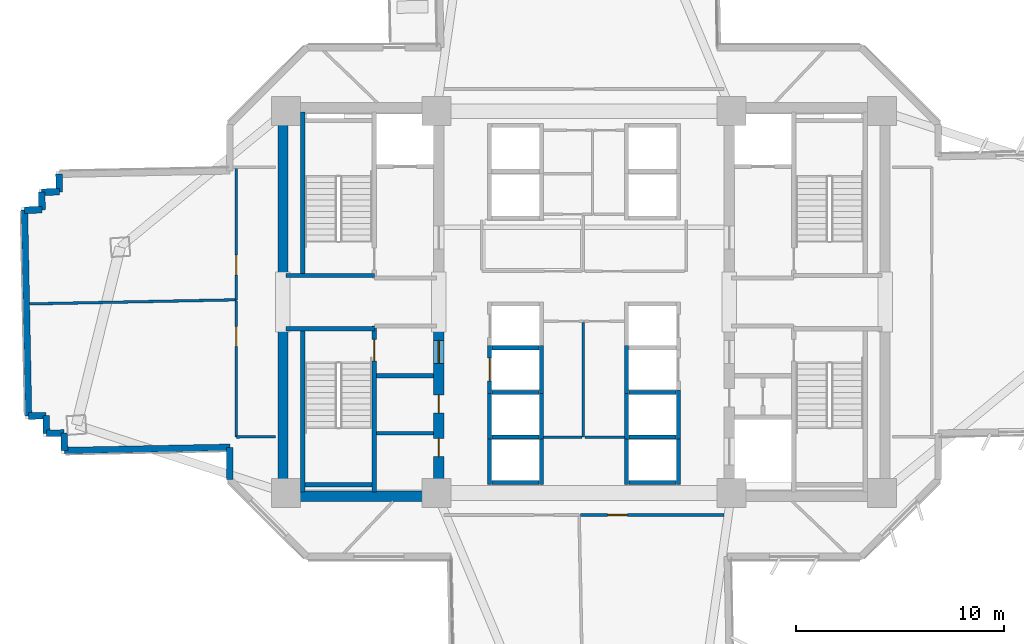
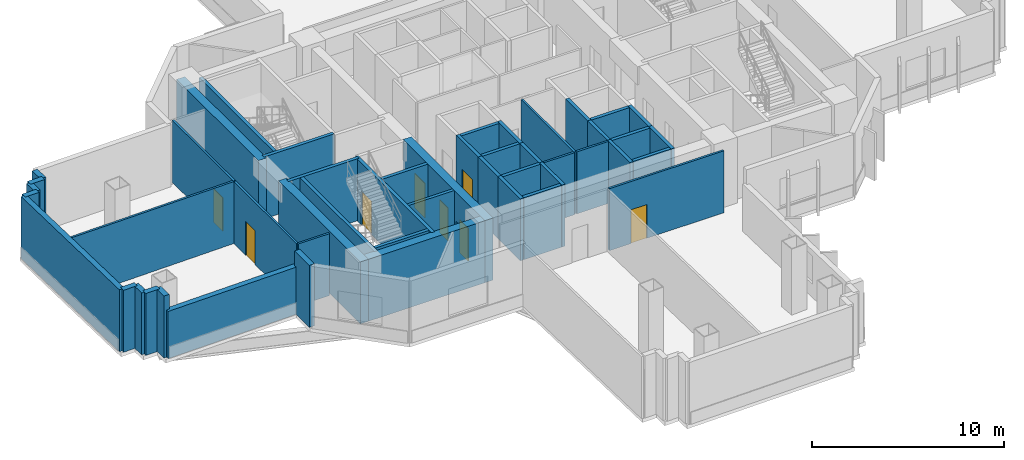
# One storey, part 6 of 15: 49 walls, 8 doors, 8 openings.
"""IFC4 building model written with IfcOpenShell, lengths in metres."""

from ifc_helpers import new_model, si_unit, direction, frame, frame_2d, origin, place, context, subcontext, project, spatial, rectangle, extrude, source, transform, mapped, material, layer, layer_set, type_object, element, fill, save


model = new_model("IFC4")

# Units and contexts
model_context = context("Model", 3, precision=1e-05, world=origin(), true_north=direction((0.0, 1.0)))
body_context = subcontext(model_context, "Body", "Model", "MODEL_VIEW")
ifc_project = project(units=[si_unit("LENGTHUNIT", "METRE"), si_unit("AREAUNIT", "SQUARE_METRE"), si_unit("VOLUMEUNIT", "CUBIC_METRE"), si_unit("PLANEANGLEUNIT", "RADIAN"), si_unit("MASSUNIT", "GRAM", prefix="KILO")], contexts=[model_context])

# Site, building, storey
site_placement = place(None, origin())
site = spatial("IfcSite", under=ifc_project, at=site_placement, CompositionType="ELEMENT")
building_placement = place(site_placement, origin())
building = spatial("IfcBuilding", under=site, at=building_placement, Name="Zahravan Cultural Tower", CompositionType="ELEMENT")
storey_placement = place(building_placement, frame((0.0, 0.0, 50.10009765625)))
storey = spatial("IfcBuildingStorey", under=building, at=storey_placement, Name="L10", CompositionType="ELEMENT", Elevation=50.10009765625)

# Wall, openings, doors
ifc_material_1 = material(Name="Concrete C60/75", Category="concrete")
ifc_layer_1 = layer(ifc_material_1, 0.5)
ifc_layer_set_1 = layer_set([ifc_layer_1], Name="Concrete C60/75")
wall_type_1 = type_object("IfcWallType", Name="CW-SHEAR-500-C60", PredefinedType="SHEAR", material=ifc_layer_set_1)
wall_1_placement = place(storey_placement, frame((29.0, 17.39990234375, 0.0), z_axis=(0.0, 0.0, 1.0), x_axis=(0.0, 1.0, 0.0)))
wall_1 = element("IfcWall", 1, at=wall_1_placement, inside=storey, type_object=wall_type_1, Name="L10 Core Shear Wall CW-W-ES-L10", PredefinedType="SHEAR", context=body_context, shape_type="SweptSolid", body=[
    extrude(rectangle(XDim=8.550048828125, YDim=0.5, at=frame_2d((4.27490234375, 0.0))), origin(), (0.0, 0.0, 1.0), 3.949951171875),
])
opening_1_placement = place(wall_1_placement, frame((6.64990234375, 0.0, 0.0)))
opening_1 = element("IfcOpeningElement", 2, at=opening_1_placement, cuts=wall_1, Name="Opening D-L10-07", PredefinedType="OPENING", context=body_context, shape_type="SweptSolid", body=[
    extrude(rectangle(XDim=1.10009765625, YDim=2.199951171875, at=frame_2d((0.550048828125, 1.10009765625))), frame((0.0, 0.260009765625, 0.0), z_axis=(0.0, -1.0, 0.0), x_axis=(1.0, 0.0, 0.0)), (0.0, 0.0, 1.0), 0.52001953125),
])
opening_2_placement = place(wall_1_placement, frame((2.14990234375, 0.0, 0.0)))
opening_2 = element("IfcOpeningElement", 3, at=opening_2_placement, cuts=wall_1, Name="Opening D-L10-09", PredefinedType="OPENING", context=body_context, shape_type="SweptSolid", body=[
    extrude(rectangle(XDim=0.8798828125, YDim=2.10009765625, at=frame_2d((0.43994140625, 1.050048828125))), frame((0.0, 0.260009765625, 0.0), z_axis=(0.0, -1.0, 0.0), x_axis=(1.0, 0.0, 0.0)), (0.0, 0.0, 1.0), 0.52001953125),
])
opening_3_placement = place(wall_1_placement, frame((4.25, 0.0, 0.0)))
opening_3 = element("IfcOpeningElement", 4, at=opening_3_placement, cuts=wall_1, Name="Opening D-L10-10", PredefinedType="OPENING", context=body_context, shape_type="SweptSolid", body=[
    extrude(rectangle(XDim=0.8798828125, YDim=2.10009765625, at=frame_2d((0.43994140625, 1.050048828125))), frame((0.0, 0.260009765625, 0.0), z_axis=(0.0, -1.0, 0.0), x_axis=(1.0, 0.0, 0.0)), (0.0, 0.0, 1.0), 0.52001953125),
])
ifc_material_2 = material(Name="Steel ASTM A572 Grade 50", Category="steel")
door_type_1 = type_object("IfcDoorType", Name="DR-LOBBY-1100", OperationType="NOTDEFINED", PredefinedType="DOOR", material=ifc_material_2)
shared_shape_1 = source(origin(), body_context, "Body", "SweptSolid", [
    extrude(rectangle(XDim=1.10009765625, YDim=2.199951171875, at=frame_2d((0.550048828125, 1.10009765625))), frame((0.0, 0.02490234375, 0.0), z_axis=(0.0, -1.0, 0.0), x_axis=(1.0, 0.0, 0.0)), (0.0, 0.0, 1.0), 0.050048828125),
])
door_1_placement = place(opening_1_placement, origin())
door_1 = element("IfcDoor", 5, at=door_1_placement, inside=storey, type_object=door_type_1, Name="L10 Door D-L10-07", OperationType="SINGLE_SWING_RIGHT", OverallHeight=2.199951171875, OverallWidth=1.10009765625, PredefinedType="DOOR", context=body_context, shape_type="MappedRepresentation", body=[
    mapped(shared_shape_1, transform((0.0, 0.0, 0.0), x_axis=(1.0, 0.0, 0.0), y_axis=(0.0, 1.0, 0.0), z_axis=(0.0, 0.0, 1.0), scale=1.0)),
])
fill(opening_1, door_1)
door_type_2 = type_object("IfcDoorType", Name="DR-SVC-880", OperationType="NOTDEFINED", PredefinedType="DOOR", material=ifc_material_2)
shared_shape_2 = source(origin(), body_context, "Body", "SweptSolid", [
    extrude(rectangle(XDim=0.8798828125, YDim=2.10009765625, at=frame_2d((0.43994140625, 1.050048828125))), frame((0.0, 0.02490234375, 0.0), z_axis=(0.0, -1.0, 0.0), x_axis=(1.0, 0.0, 0.0)), (0.0, 0.0, 1.0), 0.050048828125),
])
door_2_placement = place(opening_2_placement, origin())
door_2 = element("IfcDoor", 6, at=door_2_placement, inside=storey, type_object=door_type_2, Name="L10 Door D-L10-09", OperationType="SINGLE_SWING_RIGHT", OverallHeight=2.10009765625, OverallWidth=0.8798828125, PredefinedType="DOOR", context=body_context, shape_type="MappedRepresentation", body=[
    mapped(shared_shape_2, transform((0.0, 0.0, 0.0), x_axis=(1.0, 0.0, 0.0), y_axis=(0.0, 1.0, 0.0), z_axis=(0.0, 0.0, 1.0), scale=1.0)),
])
fill(opening_2, door_2)
door_3_placement = place(opening_3_placement, origin())
door_3 = element("IfcDoor", 7, at=door_3_placement, inside=storey, type_object=door_type_2, Name="L10 Door D-L10-10", OperationType="SINGLE_SWING_LEFT", OverallHeight=2.10009765625, OverallWidth=0.8798828125, PredefinedType="DOOR", context=body_context, shape_type="MappedRepresentation", body=[
    mapped(shared_shape_2, transform((0.0, 0.0, 0.0), x_axis=(1.0, 0.0, 0.0), y_axis=(0.0, 1.0, 0.0), z_axis=(0.0, 0.0, 1.0), scale=1.0)),
])
fill(opening_3, door_3)

# Wall, opening, door
ifc_material_3 = material(Name="Gypsum plasterboard partition")
ifc_layer_2 = layer(ifc_material_3, 0.125)
ifc_layer_set_2 = layer_set([ifc_layer_2], Name="Gypsum plasterboard partition")
wall_type_2 = type_object("IfcWallType", Name="W-PART-125", PredefinedType="PARTITIONING", material=ifc_layer_set_2)
wall_2_placement = place(storey_placement, frame((19.25048828125, 33.496337890625, 0.0), z_axis=(0.0, 0.0, 1.0), x_axis=(-7.6417545e-05, -0.99999999708, 0.0)))
wall_2 = element("IfcWall", 8, at=wall_2_placement, inside=storey, type_object=wall_type_2, Name="L10 Interior Wall 085", PredefinedType="PARTITIONING", context=body_context, shape_type="SweptSolid", body=[
    extrude(rectangle(XDim=6.3896484375, YDim=0.125, at=frame_2d((3.19482421875, 0.0))), origin(), (0.0, 0.0, 1.0), 3.949951171875),
])
opening_4_placement = place(wall_2_placement, frame((4.242919921875, 0.0, 0.0)))
opening_4 = element("IfcOpeningElement", 9, at=opening_4_placement, cuts=wall_2, Name="Opening D-L10-21", PredefinedType="OPENING", context=body_context, shape_type="SweptSolid", body=[
    extrude(rectangle(XDim=0.949951171875, YDim=2.14990234375, at=frame_2d((0.47509765625, 1.074951171875))), frame((0.0, 0.072509765625, 0.0), z_axis=(0.0, -1.0, 0.0), x_axis=(1.0, 0.0, 0.0)), (0.0, 0.0, 1.0), 0.14501953125),
])
ifc_material_4 = material(Name="Anodised bronze-aluminium mullion", Category="aluminium")
door_type_3 = type_object("IfcDoorType", Name="DR-ROOM-950", OperationType="NOTDEFINED", PredefinedType="DOOR", material=ifc_material_4)
shared_shape_3 = source(origin(), body_context, "Body", "SweptSolid", [
    extrude(rectangle(XDim=0.949951171875, YDim=2.14990234375, at=frame_2d((0.47509765625, 1.074951171875))), frame((0.0, 0.02490234375, 0.0), z_axis=(0.0, -1.0, 0.0), x_axis=(1.0, 0.0, 0.0)), (0.0, 0.0, 1.0), 0.050048828125),
])
door_4_placement = place(opening_4_placement, origin())
door_4 = element("IfcDoor", 10, at=door_4_placement, inside=storey, type_object=door_type_3, Name="L10 Door D-L10-21", OperationType="SINGLE_SWING_RIGHT", OverallHeight=2.14990234375, OverallWidth=0.949951171875, PredefinedType="DOOR", context=body_context, shape_type="MappedRepresentation", body=[
    mapped(shared_shape_3, transform((0.0, 0.0, 0.0), x_axis=(1.0, 0.0, 0.0), y_axis=(0.0, 1.0, 0.0), z_axis=(0.0, 0.0, 1.0), scale=1.0)),
])
fill(opening_4, door_4)

wall_3_placement = place(storey_placement, frame((19.25, 27.039306640625, 0.0), z_axis=(0.0, 0.0, 1.0), x_axis=(0.0, -1.0, 0.0)))
wall_3 = element("IfcWall", 11, at=wall_3_placement, inside=storey, type_object=wall_type_2, Name="L10 Interior Wall 090", PredefinedType="PARTITIONING", context=body_context, shape_type="SweptSolid", body=[
    extrude(rectangle(XDim=6.533447265625, YDim=0.125, at=frame_2d((3.2666015625, 0.0))), origin(), (0.0, 0.0, 1.0), 3.949951171875),
])
opening_5_placement = place(wall_3_placement, frame((1.228271484375, 0.0, 0.0)))
opening_5 = element("IfcOpeningElement", 12, at=opening_5_placement, cuts=wall_3, Name="Opening D-L10-22", PredefinedType="OPENING", context=body_context, shape_type="SweptSolid", body=[
    extrude(rectangle(XDim=0.949951171875, YDim=2.14990234375, at=frame_2d((0.47509765625, 1.074951171875))), frame((0.0, 0.072509765625, 0.0), z_axis=(0.0, -1.0, 0.0), x_axis=(1.0, 0.0, 0.0)), (0.0, 0.0, 1.0), 0.14501953125),
])
door_5_placement = place(opening_5_placement, origin())
door_5 = element("IfcDoor", 13, at=door_5_placement, inside=storey, type_object=door_type_3, Name="L10 Door D-L10-22", OperationType="SINGLE_SWING_LEFT", OverallHeight=2.14990234375, OverallWidth=0.949951171875, PredefinedType="DOOR", context=body_context, shape_type="MappedRepresentation", body=[
    mapped(shared_shape_3, transform((0.0, 0.0, 0.0), x_axis=(1.0, 0.0, 0.0), y_axis=(0.0, 1.0, 0.0), z_axis=(0.0, 0.0, 1.0), scale=1.0)),
])
fill(opening_5, door_5)

wall_4_placement = place(storey_placement, frame((35.83154296875, 16.739990234375, 0.0), z_axis=(0.0, 0.0, 1.0), x_axis=(0.999999999376, 3.5326951e-05, 0.0)))
wall_4 = element("IfcWall", 14, at=wall_4_placement, inside=storey, type_object=wall_type_2, Name="L10 Interior Wall 096", PredefinedType="PARTITIONING", context=body_context, shape_type="SweptSolid", body=[
    extrude(rectangle(XDim=6.910888671875, YDim=0.125, at=frame_2d((3.45556640625, 0.0))), origin(), (0.0, 0.0, 1.0), 3.949951171875),
])
opening_6_placement = place(wall_4_placement, frame((1.311279296875, 0.0, 0.0)))
opening_6 = element("IfcOpeningElement", 15, at=opening_6_placement, cuts=wall_4, Name="Opening D-L10-24", PredefinedType="OPENING", context=body_context, shape_type="SweptSolid", body=[
    extrude(rectangle(XDim=0.949951171875, YDim=2.14990234375, at=frame_2d((0.47509765625, 1.074951171875))), frame((0.0, 0.072509765625, 0.0), z_axis=(0.0, -1.0, 0.0), x_axis=(1.0, 0.0, 0.0)), (0.0, 0.0, 1.0), 0.14501953125),
])
door_6_placement = place(opening_6_placement, origin())
door_6 = element("IfcDoor", 16, at=door_6_placement, inside=storey, type_object=door_type_3, Name="L10 Door D-L10-24", OperationType="SINGLE_SWING_LEFT", OverallHeight=2.14990234375, OverallWidth=0.949951171875, PredefinedType="DOOR", context=body_context, shape_type="MappedRepresentation", body=[
    mapped(shared_shape_3, transform((0.0, 0.0, 0.0), x_axis=(1.0, 0.0, 0.0), y_axis=(0.0, 1.0, 0.0), z_axis=(0.0, 0.0, 1.0), scale=1.0)),
])
fill(opening_6, door_6)

ifc_material_5 = material(Name="Concrete C45/55", Category="concrete")
ifc_layer_3 = layer(ifc_material_5, 0.199951171875)
ifc_layer_set_3 = layer_set([ifc_layer_3], Name="Concrete C45/55")
wall_type_3 = type_object("IfcWallType", Name="W-SHAFT-200", PredefinedType="SOLIDWALL", material=ifc_layer_set_3)
wall_5_placement = place(storey_placement, frame((25.89990234375, 17.85009765625, 0.0), z_axis=(0.0, 0.0, 1.0), x_axis=(0.0, 1.0, 0.0)))
wall_5 = element("IfcWall", 17, at=wall_5_placement, inside=storey, type_object=wall_type_3, Name="L10 Interior Wall 005", PredefinedType="SOLIDWALL", context=body_context, shape_type="SweptSolid", body=[
    extrude(rectangle(XDim=8.0, YDim=0.199951171875, at=frame_2d((4.0, 0.0))), origin(), (0.0, 0.0, 1.0), 3.949951171875),
])
opening_7_placement = place(wall_5_placement, frame((6.300048828125, 0.0, 0.0)))
opening_7 = element("IfcOpeningElement", 18, at=opening_7_placement, cuts=wall_5, Name="Opening D-L10-04", PredefinedType="OPENING", context=body_context, shape_type="SweptSolid", body=[
    extrude(rectangle(XDim=1.050048828125, YDim=2.14990234375, at=frame_2d((0.52490234375, 1.074951171875))), frame((0.0, 0.10986328125, 0.0), z_axis=(0.0, -1.0, 0.0), x_axis=(1.0, 0.0, 0.0)), (0.0, 0.0, 1.0), 0.219970703125),
])
door_type_4 = type_object("IfcDoorType", Name="DR-STAIR-1050", OperationType="NOTDEFINED", PredefinedType="DOOR", material=ifc_material_2)
shared_shape_4 = source(origin(), body_context, "Body", "SweptSolid", [
    extrude(rectangle(XDim=1.050048828125, YDim=2.14990234375, at=frame_2d((0.52490234375, 1.074951171875))), frame((0.0, 0.02490234375, 0.0), z_axis=(0.0, -1.0, 0.0), x_axis=(1.0, 0.0, 0.0)), (0.0, 0.0, 1.0), 0.050048828125),
])
door_7_placement = place(opening_7_placement, origin())
door_7 = element("IfcDoor", 19, at=door_7_placement, inside=storey, type_object=door_type_4, Name="L10 Door D-L10-04", OperationType="SINGLE_SWING_LEFT", OverallHeight=2.14990234375, OverallWidth=1.050048828125, PredefinedType="DOOR", context=body_context, shape_type="MappedRepresentation", body=[
    mapped(shared_shape_4, transform((0.0, 0.0, 0.0), x_axis=(1.0, 0.0, 0.0), y_axis=(0.0, 1.0, 0.0), z_axis=(0.0, 0.0, 1.0), scale=1.0)),
])
fill(opening_7, door_7)

wall_6_placement = place(storey_placement, frame((31.449951171875, 22.60009765625, 0.0), z_axis=(0.0, 0.0, 1.0), x_axis=(0.0, 1.0, 0.0)))
wall_6 = element("IfcWall", 20, at=wall_6_placement, inside=storey, type_object=wall_type_3, Name="L10 Interior Wall 060", PredefinedType="SOLIDWALL", context=body_context, shape_type="SweptSolid", body=[
    extrude(rectangle(XDim=2.2998046875, YDim=0.199951171875, at=frame_2d((1.14990234375, 0.0))), origin(), (0.0, 0.0, 1.0), 3.949951171875),
])
opening_8_placement = place(wall_6_placement, frame((0.60009765625, 0.0, 0.0)))
opening_8 = element("IfcOpeningElement", 21, at=opening_8_placement, cuts=wall_6, Name="Opening LD-L10-05", PredefinedType="OPENING", context=body_context, shape_type="SweptSolid", body=[
    extrude(rectangle(XDim=1.10009765625, YDim=2.14990234375, at=frame_2d((0.550048828125, 1.074951171875))), frame((0.0, 0.10986328125, 0.0), z_axis=(0.0, -1.0, 0.0), x_axis=(1.0, 0.0, 0.0)), (0.0, 0.0, 1.0), 0.219970703125),
])
door_type_5 = type_object("IfcDoorType", Name="DR-LIFT-1100", OperationType="DOUBLE_DOOR_SLIDING", PredefinedType="DOOR", material=ifc_material_2)
shared_shape_5 = source(origin(), body_context, "Body", "SweptSolid", [
    extrude(rectangle(XDim=1.10009765625, YDim=2.14990234375, at=frame_2d((0.550048828125, 1.074951171875))), frame((0.0, 0.02490234375, 0.0), z_axis=(0.0, -1.0, 0.0), x_axis=(1.0, 0.0, 0.0)), (0.0, 0.0, 1.0), 0.050048828125),
])
door_8_placement = place(opening_8_placement, origin())
door_8 = element("IfcDoor", 22, at=door_8_placement, inside=storey, type_object=door_type_5, Name="L10 Door LD-L10-05", OperationType="DOUBLE_DOOR_SLIDING", OverallHeight=2.14990234375, OverallWidth=1.10009765625, PredefinedType="DOOR", context=body_context, shape_type="MappedRepresentation", body=[
    mapped(shared_shape_5, transform((0.0, 0.0, 0.0), x_axis=(1.0, 0.0, 0.0), y_axis=(0.0, 1.0, 0.0), z_axis=(0.0, 0.0, 1.0), scale=1.0)),
])
fill(opening_8, door_8)

# Walls
shared_shape_6 = source(origin(), body_context, "Body", "SweptSolid", [
    extrude(rectangle(XDim=8.550048828125, YDim=0.5, at=frame_2d((4.27490234375, 0.0))), origin(), (0.0, 0.0, 1.0), 3.949951171875),
])
for number, where, z_axis, x_axis, name in (
    (23, (21.5, 17.39990234375, 0.0), (0.0, 0.0, 1.0), (0.0, 1.0, 0.0), "L10 Core Shear Wall CW-W-WS-L10"),
    (24, (21.5, 28.050048828125, 0.0), (0.0, 0.0, 1.0), (0.0, 1.0, 0.0), "L10 Core Shear Wall CW-W-WN-L10"),
):
    element("IfcWall", number, at=place(storey_placement, frame(where, z_axis=z_axis, x_axis=x_axis)), inside=storey, type_object=wall_type_1, Name=name, PredefinedType="SHEAR", context=body_context, shape_type="MappedRepresentation", body=[
        mapped(shared_shape_6, transform((0.0, 0.0, 0.0), x_axis=(1.0, 0.0, 0.0), y_axis=(0.0, 1.0, 0.0), z_axis=(0.0, 0.0, 1.0), scale=1.0)),
    ])
shared_shape_7 = source(origin(), body_context, "Body", "SweptSolid", [
    extrude(rectangle(XDim=7.0, YDim=0.5, at=frame_2d((3.5, 0.0))), origin(), (0.0, 0.0, 1.0), 3.949951171875),
])
wall_7_placement = place(storey_placement, frame((21.75, 17.64990234375, 0.0), z_axis=(0.0, 0.0, 1.0), x_axis=(1.0, 0.0, 0.0)))
element("IfcWall", 25, at=wall_7_placement, inside=storey, type_object=wall_type_1, Name="L10 Core Shear Wall CW-W-S-L10", PredefinedType="SHEAR", context=body_context, shape_type="MappedRepresentation", body=[
    mapped(shared_shape_7, transform((0.0, 0.0, 0.0), x_axis=(1.0, 0.0, 0.0), y_axis=(0.0, 1.0, 0.0), z_axis=(0.0, 0.0, 1.0), scale=1.0)),
])
ifc_material_6 = material(Name="Precast concrete C40/50", Category="concrete")
ifc_layer_4 = layer(ifc_material_6, 0.320068359375)
ifc_layer_set_4 = layer_set([ifc_layer_4], Name="Precast concrete C40/50")
wall_type_4 = type_object("IfcWallType", Name="EW-TC-320", PredefinedType="SOLIDWALL", material=ifc_layer_set_4)
shared_shape_8 = source(origin(), body_context, "Body", "SweptSolid", [
    extrude(rectangle(XDim=0.85009765625, YDim=0.320068359375, at=frame_2d((0.425048828125, 0.0))), origin(), (0.0, 0.0, 1.0), 3.949951171875),
])
for number, where, z_axis, x_axis, name in (
    (26, (10.9775390625, 19.8408203125, 0.0), (0.0, 0.0, 1.0), (-0.019817997326, 0.999803604205, 0.0), "L10 Exterior Masonry Frame Wall 29"),
    (27, (10.960693359375, 20.690673828125, 0.0), (0.0, 0.0, 1.0), (-0.999797872061, -0.020105099409, 0.0), "L10 Exterior Masonry Frame Wall 30"),
    (28, (10.11083984375, 20.673583984375, 0.0), (0.0, 0.0, 1.0), (-0.020105099409, 0.999797872061, 0.0), "L10 Exterior Masonry Frame Wall 31"),
    (29, (10.09375, 21.5234375, 0.0), (0.0, 0.0, 1.0), (-0.999803604205, -0.019817997326, 0.0), "L10 Exterior Masonry Frame Wall 32"),
    (30, (9.046630859375, 31.424560546875, 0.0), (0.0, 0.0, 1.0), (0.999803604205, 0.019817997326, 0.0), "L10 Exterior Masonry Frame Wall 34"),
    (31, (9.879638671875, 32.29150390625, 0.0), (0.0, 0.0, 1.0), (0.999803604205, 0.019817997326, 0.0), "L10 Exterior Masonry Frame Wall 36"),
    (32, (10.7294921875, 32.308349609375, 0.0), (0.0, 0.0, 1.0), (-0.020105099409, 0.999797872061, 0.0), "L10 Exterior Masonry Frame Wall 37"),
):
    element("IfcWall", number, at=place(storey_placement, frame(where, z_axis=z_axis, x_axis=x_axis)), inside=storey, type_object=wall_type_4, Name=name, PredefinedType="SOLIDWALL", context=body_context, shape_type="MappedRepresentation", body=[
        mapped(shared_shape_8, transform((0.0, 0.0, 0.0), x_axis=(1.0, 0.0, 0.0), y_axis=(0.0, 1.0, 0.0), z_axis=(0.0, 0.0, 1.0), scale=1.0)),
    ])
shared_shape_9 = source(origin(), body_context, "Body", "SweptSolid", [
    extrude(rectangle(XDim=9.919921875, YDim=0.320068359375, at=frame_2d((4.9599609375, 0.0))), origin(), (0.0, 0.0, 1.0), 3.949951171875),
])
wall_8_placement = place(storey_placement, frame((9.243896484375, 21.506591796875, 0.0), z_axis=(0.0, 0.0, 1.0), x_axis=(-0.019885787333, 0.99980225818, 0.0)))
element("IfcWall", 33, at=wall_8_placement, inside=storey, type_object=wall_type_4, Name="L10 Exterior Masonry Frame Wall 33", PredefinedType="SOLIDWALL", context=body_context, shape_type="MappedRepresentation", body=[
    mapped(shared_shape_9, transform((0.0, 0.0, 0.0), x_axis=(1.0, 0.0, 0.0), y_axis=(0.0, 1.0, 0.0), z_axis=(0.0, 0.0, 1.0), scale=1.0)),
])
shared_shape_10 = source(origin(), body_context, "Body", "SweptSolid", [
    extrude(rectangle(XDim=0.850341796875, YDim=0.320068359375, at=frame_2d((0.42529296875, 0.0))), origin(), (0.0, 0.0, 1.0), 3.949951171875),
])
wall_9_placement = place(storey_placement, frame((9.896484375, 31.44140625, 0.0), z_axis=(0.0, 0.0, 1.0), x_axis=(-0.019812308004, 0.999803716962, 0.0)))
element("IfcWall", 34, at=wall_9_placement, inside=storey, type_object=wall_type_4, Name="L10 Exterior Masonry Frame Wall 35", PredefinedType="SOLIDWALL", context=body_context, shape_type="MappedRepresentation", body=[
    mapped(shared_shape_10, transform((0.0, 0.0, 0.0), x_axis=(1.0, 0.0, 0.0), y_axis=(0.0, 1.0, 0.0), z_axis=(0.0, 0.0, 1.0), scale=1.0)),
])
shared_shape_11 = source(origin(), body_context, "Body", "SweptSolid", [
    extrude(rectangle(XDim=1.541259765625, YDim=0.320068359375, at=frame_2d((0.7705078125, 0.0))), origin(), (0.0, 0.0, 1.0), 3.949951171875),
])
wall_10_placement = place(storey_placement, frame((18.93994140625, 18.4580078125, 0.0), z_axis=(0.0, 0.0, 1.0), x_axis=(0.0, 1.0, 0.0)))
element("IfcWall", 35, at=wall_10_placement, inside=storey, type_object=wall_type_4, Name="L10 Exterior Masonry Frame Wall 27", PredefinedType="SOLIDWALL", context=body_context, shape_type="MappedRepresentation", body=[
    mapped(shared_shape_11, transform((0.0, 0.0, 0.0), x_axis=(1.0, 0.0, 0.0), y_axis=(0.0, 1.0, 0.0), z_axis=(0.0, 0.0, 1.0), scale=1.0)),
])
shared_shape_12 = source(origin(), body_context, "Body", "SweptSolid", [
    extrude(rectangle(XDim=7.9638671875, YDim=0.320068359375, at=frame_2d((3.98193359375, 0.0))), origin(), (0.0, 0.0, 1.0), 3.010009765625),
])
wall_11_placement = place(storey_placement, frame((18.93994140625, 19.999267578125, 0.0), z_axis=(0.0, 0.0, 1.0), x_axis=(-0.999802065132, -0.019895490902, 0.0)))
element("IfcWall", 36, at=wall_11_placement, inside=storey, type_object=wall_type_4, Name="L10 Exterior Masonry Frame Wall 28", PredefinedType="SOLIDWALL", context=body_context, shape_type="MappedRepresentation", body=[
    mapped(shared_shape_12, transform((0.0, 0.0, 0.0), x_axis=(1.0, 0.0, 0.0), y_axis=(0.0, 1.0, 0.0), z_axis=(0.0, 0.0, 1.0), scale=1.0)),
])
shared_shape_13 = source(origin(), body_context, "Body", "SweptSolid", [
    extrude(rectangle(XDim=7.869873046875, YDim=0.199951171875, at=frame_2d((3.93505859375, 0.0))), origin(), (0.0, 0.0, 1.0), 3.949951171875),
])
for number, where, z_axis, x_axis, name in (
    (37, (22.449951171875, 17.85009765625, 0.0), (0.0, 0.0, 1.0), (0.0, 1.0, 0.0), "L10 Interior Wall 001"),
    (38, (22.449951171875, 28.280029296875, 0.0), (0.0, 0.0, 1.0), (0.0, 1.0, 0.0), "L10 Interior Wall 002"),
):
    element("IfcWall", number, at=place(storey_placement, frame(where, z_axis=z_axis, x_axis=x_axis)), inside=storey, type_object=wall_type_3, Name=name, PredefinedType="SOLIDWALL", context=body_context, shape_type="MappedRepresentation", body=[
        mapped(shared_shape_13, transform((0.0, 0.0, 0.0), x_axis=(1.0, 0.0, 0.0), y_axis=(0.0, 1.0, 0.0), z_axis=(0.0, 0.0, 1.0), scale=1.0)),
    ])
shared_shape_14 = source(origin(), body_context, "Body", "SweptSolid", [
    extrude(rectangle(XDim=4.25, YDim=0.199951171875, at=frame_2d((2.125, 0.0))), origin(), (0.0, 0.0, 1.0), 3.949951171875),
])
for number, where, z_axis, x_axis, name in (
    (39, (21.64990234375, 25.715087890625, 0.0), (0.0, 0.0, 1.0), (1.0, 0.0, 0.0), "L10 Interior Wall 009"),
    (40, (21.64990234375, 28.284912109375, 0.0), (0.0, 0.0, 1.0), (1.0, 0.0, 0.0), "L10 Interior Wall 011"),
):
    element("IfcWall", number, at=place(storey_placement, frame(where, z_axis=z_axis, x_axis=x_axis)), inside=storey, type_object=wall_type_3, Name=name, PredefinedType="SOLIDWALL", context=body_context, shape_type="MappedRepresentation", body=[
        mapped(shared_shape_14, transform((0.0, 0.0, 0.0), x_axis=(1.0, 0.0, 0.0), y_axis=(0.0, 1.0, 0.0), z_axis=(0.0, 0.0, 1.0), scale=1.0)),
    ])
shared_shape_15 = source(origin(), body_context, "Body", "SweptSolid", [
    extrude(rectangle(XDim=3.25, YDim=0.199951171875, at=frame_2d((1.625, 0.0))), origin(), (0.0, 0.0, 1.0), 3.949951171875),
])
wall_12_placement = place(storey_placement, frame((22.550048828125, 18.199951171875, 0.0), z_axis=(0.0, 0.0, 1.0), x_axis=(1.0, 0.0, 0.0)))
element("IfcWall", 41, at=wall_12_placement, inside=storey, type_object=wall_type_3, Name="L10 Interior Wall 019", PredefinedType="SOLIDWALL", context=body_context, shape_type="MappedRepresentation", body=[
    mapped(shared_shape_15, transform((0.0, 0.0, 0.0), x_axis=(1.0, 0.0, 0.0), y_axis=(0.0, 1.0, 0.0), z_axis=(0.0, 0.0, 1.0), scale=1.0)),
])
shared_shape_16 = source(origin(), body_context, "Body", "SweptSolid", [
    extrude(rectangle(XDim=2.75, YDim=0.199951171875, at=frame_2d((1.375, 0.0))), origin(), (0.0, 0.0, 1.0), 3.949951171875),
])
wall_13_placement = place(storey_placement, frame((26.0, 23.449951171875, 0.0), z_axis=(0.0, 0.0, 1.0), x_axis=(1.0, 0.0, 0.0)))
element("IfcWall", 42, at=wall_13_placement, inside=storey, type_object=wall_type_3, Name="L10 Interior Wall 023", PredefinedType="SOLIDWALL", context=body_context, shape_type="MappedRepresentation", body=[
    mapped(shared_shape_16, transform((0.0, 0.0, 0.0), x_axis=(1.0, 0.0, 0.0), y_axis=(0.0, 1.0, 0.0), z_axis=(0.0, 0.0, 1.0), scale=1.0)),
])
shared_shape_17 = source(origin(), body_context, "Body", "SweptSolid", [
    extrude(rectangle(XDim=2.260009765625, YDim=0.199951171875, at=frame_2d((1.1298828125, 0.0))), origin(), (0.0, 0.0, 1.0), 3.949951171875),
])
for number, where, z_axis, x_axis, name in (
    (43, (31.570068359375, 20.5, 0.0), (0.0, 0.0, 1.0), (1.0, 0.0, 0.0), "L10 Interior Wall 044"),
    (44, (31.570068359375, 22.64990234375, 0.0), (0.0, 0.0, 1.0), (1.0, 0.0, 0.0), "L10 Interior Wall 045"),
    (45, (31.570068359375, 18.300048828125, 0.0), (0.0, 0.0, 1.0), (1.0, 0.0, 0.0), "L10 Interior Wall 048"),
    (46, (38.169921875, 20.5, 0.0), (0.0, 0.0, 1.0), (1.0, 0.0, 0.0), "L10 Interior Wall 051"),
    (47, (38.169921875, 22.64990234375, 0.0), (0.0, 0.0, 1.0), (1.0, 0.0, 0.0), "L10 Interior Wall 052"),
    (48, (38.169921875, 18.300048828125, 0.0), (0.0, 0.0, 1.0), (1.0, 0.0, 0.0), "L10 Interior Wall 055"),
    (49, (31.570068359375, 24.800048828125, 0.0), (0.0, 0.0, 1.0), (1.0, 0.0, 0.0), "L10 Interior Wall 058"),
):
    element("IfcWall", number, at=place(storey_placement, frame(where, z_axis=z_axis, x_axis=x_axis)), inside=storey, type_object=wall_type_3, Name=name, PredefinedType="SOLIDWALL", context=body_context, shape_type="MappedRepresentation", body=[
        mapped(shared_shape_17, transform((0.0, 0.0, 0.0), x_axis=(1.0, 0.0, 0.0), y_axis=(0.0, 1.0, 0.0), z_axis=(0.0, 0.0, 1.0), scale=1.0)),
    ])
shared_shape_18 = source(origin(), body_context, "Body", "SweptSolid", [
    extrude(rectangle(XDim=2.35009765625, YDim=0.199951171875, at=frame_2d((1.175048828125, 0.0))), origin(), (0.0, 0.0, 1.0), 3.949951171875),
])
for number, where, z_axis, x_axis, name in (
    (50, (31.449951171875, 20.39990234375, 0.0), (0.0, 0.0, 1.0), (0.0, 1.0, 0.0), "L10 Interior Wall 042"),
    (51, (33.949951171875, 20.39990234375, 0.0), (0.0, 0.0, 1.0), (0.0, 1.0, 0.0), "L10 Interior Wall 043"),
    (52, (31.449951171875, 18.199951171875, 0.0), (0.0, 0.0, 1.0), (0.0, 1.0, 0.0), "L10 Interior Wall 046"),
    (53, (33.949951171875, 18.199951171875, 0.0), (0.0, 0.0, 1.0), (0.0, 1.0, 0.0), "L10 Interior Wall 047"),
    (54, (38.050048828125, 20.39990234375, 0.0), (0.0, 0.0, 1.0), (0.0, 1.0, 0.0), "L10 Interior Wall 049"),
    (55, (40.550048828125, 20.39990234375, 0.0), (0.0, 0.0, 1.0), (0.0, 1.0, 0.0), "L10 Interior Wall 050"),
    (56, (38.050048828125, 18.199951171875, 0.0), (0.0, 0.0, 1.0), (0.0, 1.0, 0.0), "L10 Interior Wall 053"),
    (57, (40.550048828125, 18.199951171875, 0.0), (0.0, 0.0, 1.0), (0.0, 1.0, 0.0), "L10 Interior Wall 054"),
):
    element("IfcWall", number, at=place(storey_placement, frame(where, z_axis=z_axis, x_axis=x_axis)), inside=storey, type_object=wall_type_3, Name=name, PredefinedType="SOLIDWALL", context=body_context, shape_type="MappedRepresentation", body=[
        mapped(shared_shape_18, transform((0.0, 0.0, 0.0), x_axis=(1.0, 0.0, 0.0), y_axis=(0.0, 1.0, 0.0), z_axis=(0.0, 0.0, 1.0), scale=1.0)),
    ])
shared_shape_19 = source(origin(), body_context, "Body", "SweptSolid", [
    extrude(rectangle(XDim=2.2998046875, YDim=0.199951171875, at=frame_2d((1.14990234375, 0.0))), origin(), (0.0, 0.0, 1.0), 3.949951171875),
])
for number, where, z_axis, x_axis, name in (
    (58, (33.949951171875, 22.60009765625, 0.0), (0.0, 0.0, 1.0), (0.0, 1.0, 0.0), "L10 Interior Wall 061"),
    (59, (38.050048828125, 22.60009765625, 0.0), (0.0, 0.0, 1.0), (0.0, 1.0, 0.0), "L10 Interior Wall 066"),
):
    element("IfcWall", number, at=place(storey_placement, frame(where, z_axis=z_axis, x_axis=x_axis)), inside=storey, type_object=wall_type_3, Name=name, PredefinedType="SOLIDWALL", context=body_context, shape_type="MappedRepresentation", body=[
        mapped(shared_shape_19, transform((0.0, 0.0, 0.0), x_axis=(1.0, 0.0, 0.0), y_axis=(0.0, 1.0, 0.0), z_axis=(0.0, 0.0, 1.0), scale=1.0)),
    ])
ifc_layer_5 = layer(ifc_material_3, 0.179931640625)
ifc_layer_set_5 = layer_set([ifc_layer_5], Name="Gypsum plasterboard partition")
wall_type_5 = type_object("IfcWallType", Name="W-COMP-180", PredefinedType="PARTITIONING", material=ifc_layer_set_5)
shared_shape_20 = source(origin(), body_context, "Body", "SweptSolid", [
    extrude(rectangle(XDim=2.75, YDim=0.179931640625, at=frame_2d((1.375, 0.0))), origin(), (0.0, 0.0, 1.0), 3.949951171875),
])
wall_14_placement = place(storey_placement, frame((26.0, 20.679931640625, 0.0), z_axis=(0.0, 0.0, 1.0), x_axis=(1.0, 0.0, 0.0)))
element("IfcWall", 60, at=wall_14_placement, inside=storey, type_object=wall_type_5, Name="L10 Interior Wall 026", PredefinedType="PARTITIONING", context=body_context, shape_type="MappedRepresentation", body=[
    mapped(shared_shape_20, transform((0.0, 0.0, 0.0), x_axis=(1.0, 0.0, 0.0), y_axis=(0.0, 1.0, 0.0), z_axis=(0.0, 0.0, 1.0), scale=1.0)),
])
shared_shape_21 = source(origin(), body_context, "Body", "SweptSolid", [
    extrude(rectangle(XDim=5.5224609375, YDim=0.125, at=frame_2d((2.76123046875, 0.0))), origin(), (0.0, 0.0, 1.0), 3.949951171875),
])
wall_15_placement = place(storey_placement, frame((35.969970703125, 26.012451171875, 0.0), z_axis=(0.0, 0.0, 1.0), x_axis=(0.0, -1.0, 0.0)))
element("IfcWall", 61, at=wall_15_placement, inside=storey, type_object=wall_type_2, Name="L10 Interior Wall 076", PredefinedType="PARTITIONING", context=body_context, shape_type="MappedRepresentation", body=[
    mapped(shared_shape_21, transform((0.0, 0.0, 0.0), x_axis=(1.0, 0.0, 0.0), y_axis=(0.0, 1.0, 0.0), z_axis=(0.0, 0.0, 1.0), scale=1.0)),
])
shared_shape_22 = source(origin(), body_context, "Body", "SweptSolid", [
    extrude(rectangle(XDim=1.84765625, YDim=0.125, at=frame_2d((0.923828125, 0.0))), origin(), (0.0, 0.0, 1.0), 3.949951171875),
])
wall_16_placement = place(storey_placement, frame((35.902587890625, 20.489990234375, 0.0), z_axis=(0.0, 0.0, 1.0), x_axis=(-1.0, 0.0, 0.0)))
element("IfcWall", 62, at=wall_16_placement, inside=storey, type_object=wall_type_2, Name="L10 Interior Wall 077", PredefinedType="PARTITIONING", context=body_context, shape_type="MappedRepresentation", body=[
    mapped(shared_shape_22, transform((0.0, 0.0, 0.0), x_axis=(1.0, 0.0, 0.0), y_axis=(0.0, 1.0, 0.0), z_axis=(0.0, 0.0, 1.0), scale=1.0)),
])
shared_shape_23 = source(origin(), body_context, "Body", "SweptSolid", [
    extrude(rectangle(XDim=1.907470703125, YDim=0.125, at=frame_2d((0.95361328125, 0.0))), origin(), (0.0, 0.0, 1.0), 3.949951171875),
])
wall_17_placement = place(storey_placement, frame((37.945068359375, 20.489990234375, 0.0), z_axis=(0.0, 0.0, 1.0), x_axis=(-1.0, 0.0, 0.0)))
element("IfcWall", 63, at=wall_17_placement, inside=storey, type_object=wall_type_2, Name="L10 Interior Wall 079", PredefinedType="PARTITIONING", context=body_context, shape_type="MappedRepresentation", body=[
    mapped(shared_shape_23, transform((0.0, 0.0, 0.0), x_axis=(1.0, 0.0, 0.0), y_axis=(0.0, 1.0, 0.0), z_axis=(0.0, 0.0, 1.0), scale=1.0)),
])
shared_shape_24 = source(origin(), body_context, "Body", "SweptSolid", [
    extrude(rectangle(XDim=9.950439453125, YDim=0.125, at=frame_2d((4.97509765625, 0.0))), origin(), (0.0, 0.0, 1.0), 3.949951171875),
])
wall_18_placement = place(storey_placement, frame((19.25, 27.106689453125, 0.0), z_axis=(0.0, 0.0, 1.0), x_axis=(-0.999802007469, -0.019898388379, 0.0)))
element("IfcWall", 64, at=wall_18_placement, inside=storey, type_object=wall_type_2, Name="L10 Interior Wall 086", PredefinedType="PARTITIONING", context=body_context, shape_type="MappedRepresentation", body=[
    mapped(shared_shape_24, transform((0.0, 0.0, 0.0), x_axis=(1.0, 0.0, 0.0), y_axis=(0.0, 1.0, 0.0), z_axis=(0.0, 0.0, 1.0), scale=1.0)),
])
shared_shape_25 = source(origin(), body_context, "Body", "SweptSolid", [
    extrude(rectangle(XDim=1.8935546875, YDim=0.125, at=frame_2d((0.94677734375, 0.0))), origin(), (0.0, 0.0, 1.0), 3.949951171875),
])
wall_19_placement = place(storey_placement, frame((19.255859375, 20.5, 0.0), z_axis=(0.0, 0.0, 1.0), x_axis=(0.999998370894, 0.001805051211, 0.0)))
element("IfcWall", 65, at=wall_19_placement, inside=storey, type_object=wall_type_2, Name="L10 Interior Wall 091", PredefinedType="PARTITIONING", context=body_context, shape_type="MappedRepresentation", body=[
    mapped(shared_shape_25, transform((0.0, 0.0, 0.0), x_axis=(1.0, 0.0, 0.0), y_axis=(0.0, 1.0, 0.0), z_axis=(0.0, 0.0, 1.0), scale=1.0)),
])

save(model, "model.ifc")
